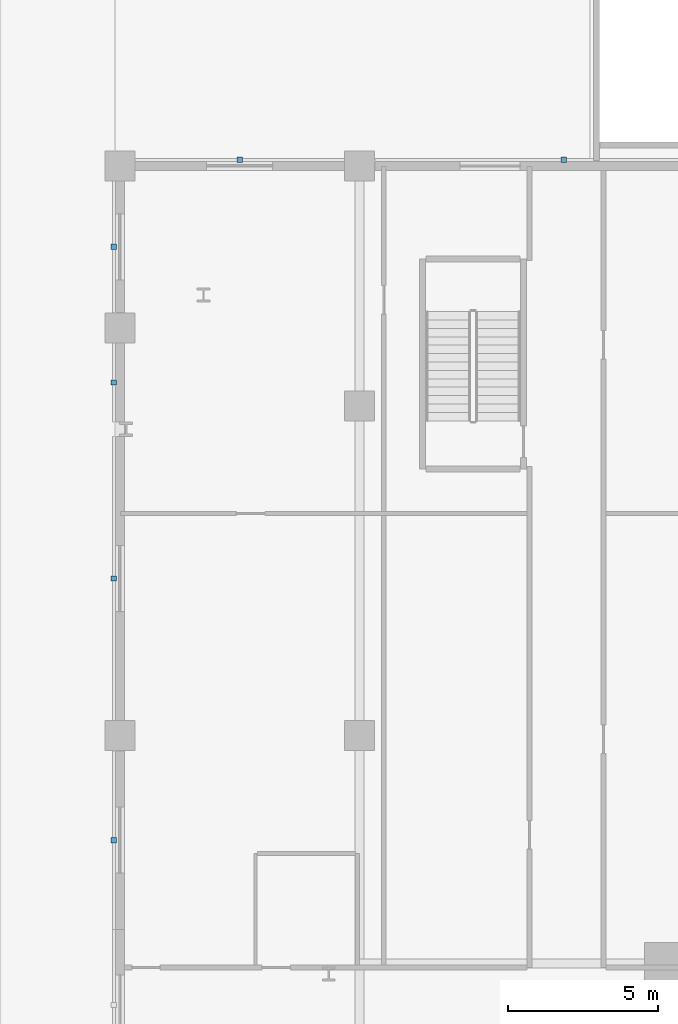
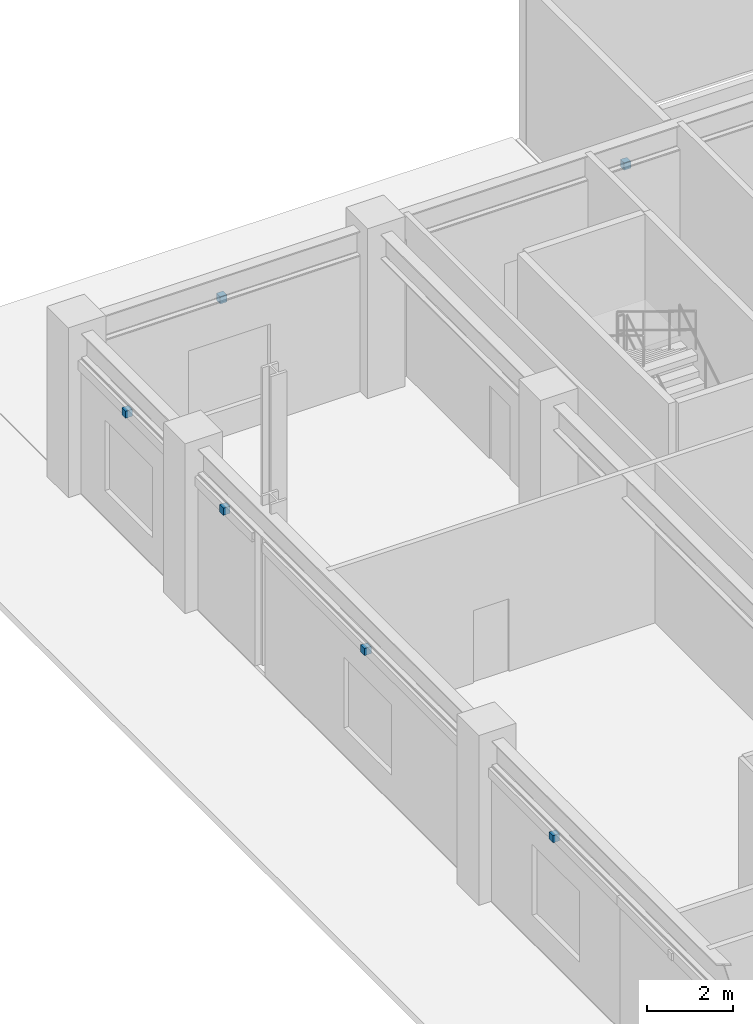
# One storey, part 32 of 40: 6 discrete accessories.
"""IFC4 building model written with IfcOpenShell, lengths in metres."""

from ifc_helpers import new_model, si_unit, derived_unit, direction, frame, origin, origin_2d, place, context, subcontext, project, spatial, rectangle, extrude, source, transform, mapped, material, type_object, element, save


model = new_model("IFC4")

# Units and contexts
model_context = context("Model", 3, precision=1e-05, world=origin(), true_north=direction((0.0, 1.0)))
body_context = subcontext(model_context, "Body", "Model", "MODEL_VIEW")
ifc_project = project(units=[si_unit("LENGTHUNIT", "METRE"), si_unit("AREAUNIT", "SQUARE_METRE"), si_unit("VOLUMEUNIT", "CUBIC_METRE"), si_unit("PLANEANGLEUNIT", "RADIAN"), si_unit("MASSUNIT", "GRAM", prefix="KILO"), derived_unit("THERMALTRANSMITTANCEUNIT", [(si_unit("POWERUNIT", "WATT"), 1), (si_unit("LENGTHUNIT", "METRE"), -2), (si_unit("THERMODYNAMICTEMPERATUREUNIT", "KELVIN"), -1)])], contexts=[model_context])

# Site, building, storey
site_placement = place(None, origin())
site = spatial("IfcSite", under=ifc_project, at=site_placement, CompositionType="ELEMENT")
building_placement = place(site_placement, origin())
building = spatial("IfcBuilding", under=site, at=building_placement, Name="Korsvarv Bourse and Concert Hall", CompositionType="ELEMENT")
storey_placement = place(building_placement, origin())
storey = spatial("IfcBuildingStorey", under=building, at=storey_placement, Name="L00", CompositionType="ELEMENT", Elevation=0.0)

# Discrete accessories
ifc_material = material(Name="Stainless Steel S355 facade outrigger bracket", Category="steel")
discrete_accessory_type = type_object("IfcDiscreteAccessoryType", Name="ACC-BRK-1", PredefinedType="BRACKET", material=ifc_material)
shared_shape = source(origin(), body_context, "Body", "SweptSolid", [
    extrude(rectangle(XDim=0.179931640625, YDim=0.179931640625, at=origin_2d()), origin(), (0.0, 0.0, 1.0), 0.199951171875),
])
for number, where, z_axis, x_axis, name in (
    (1, (10.0, 59.199951171875, 3.56005859375), (0.0, 0.0, 1.0), (1.0, 0.0, 0.0), "L00 terracotta sunshade bracket EW-L00-N1"),
    (2, (20.800048828125, 59.199951171875, 3.56005859375), (0.0, 0.0, 1.0), (1.0, 0.0, 0.0), "L00 terracotta sunshade bracket EW-L00-N2"),
    (3, (5.800048828125, 36.517578125, 3.56005859375), (0.0, 0.0, 1.0), (0.0, 1.0, 0.0), "L00 terracotta sunshade bracket EW-L00-W4"),
    (4, (5.800048828125, 45.239990234375, 3.56005859375), (0.0, 0.0, 1.0), (0.0, 1.0, 0.0), "L00 terracotta sunshade bracket EW-L00-W5-1"),
    (5, (5.800048828125, 51.777099609375, 3.56005859375), (0.0, 0.0, 1.0), (0.0, 1.0, 0.0), "L00 terracotta sunshade bracket EW-L00-W5-2"),
    (6, (5.800048828125, 56.300048828125, 3.56005859375), (0.0, 0.0, 1.0), (0.0, 1.0, 0.0), "L00 terracotta sunshade bracket EW-L00-W6"),
):
    element("IfcDiscreteAccessory", number, at=place(storey_placement, frame(where, z_axis=z_axis, x_axis=x_axis)), inside=storey, type_object=discrete_accessory_type, Name=name, PredefinedType="BRACKET", context=body_context, shape_type="MappedRepresentation", body=[
        mapped(shared_shape, transform((0.0, 0.0, 0.0), scale=1.0)),
    ])

save(model, "model.ifc")
